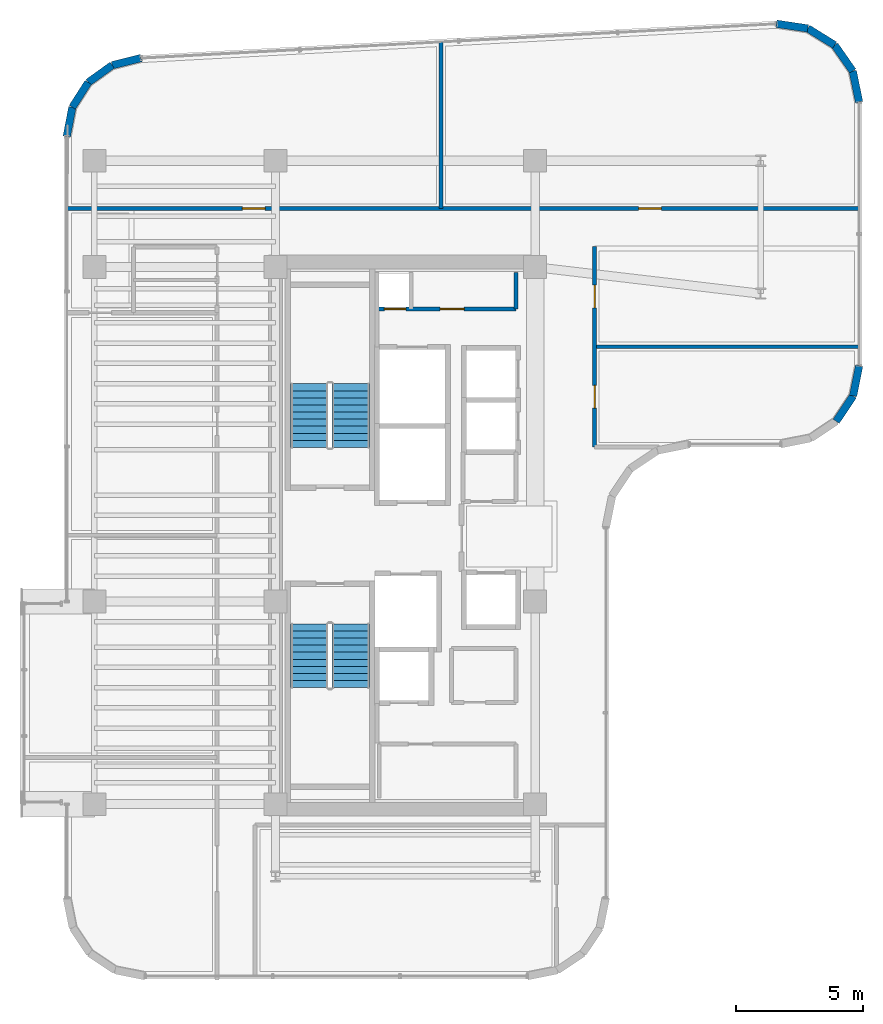
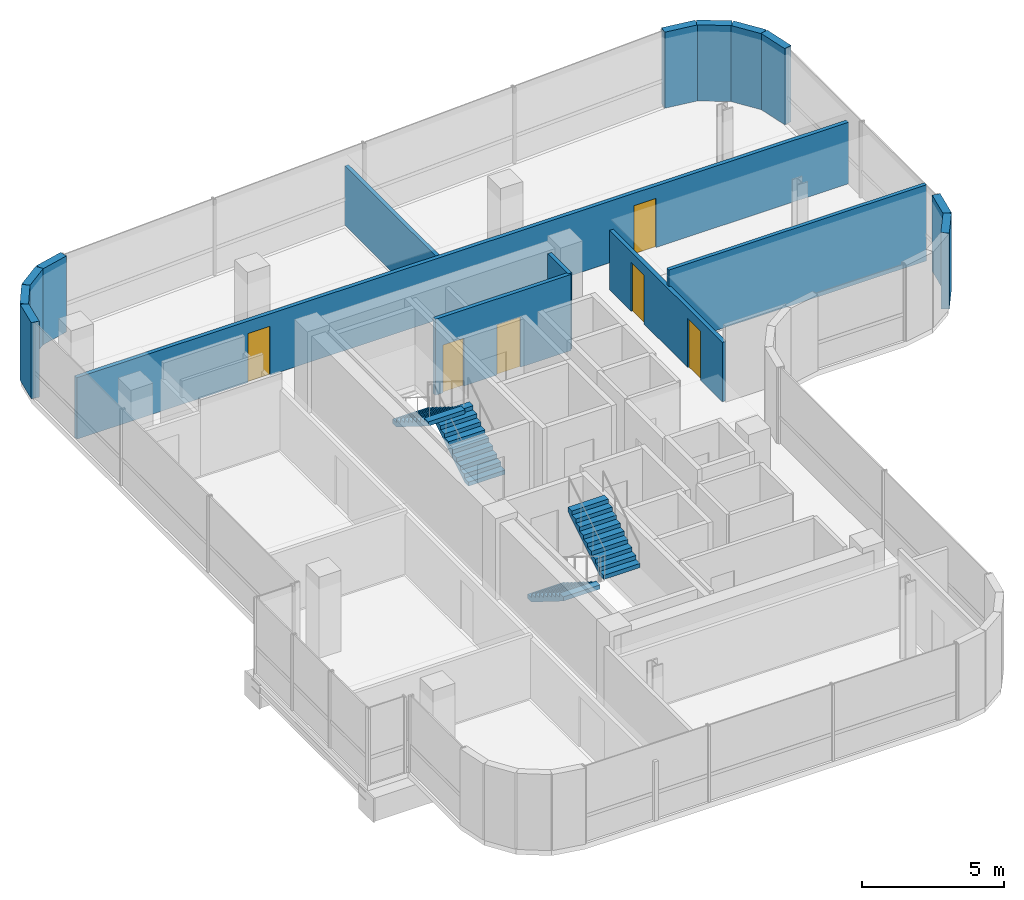
# One storey, part 20 of 22: 16 walls, 6 doors, 4 stair flights, 6 openings, 2 elements without a shape of their own.
"""IFC4 building model written with IfcOpenShell, lengths in metres."""

from ifc_helpers import new_model, si_unit, direction, frame, frame_2d, origin, place, context, subcontext, project, spatial, polyline, rectangle, outline, extrude, material, layer, layer_set, type_object, element, fill, aggregate, save


model = new_model("IFC4")

# Units and contexts
model_context = context("Model", 3, precision=1e-05, world=origin(), true_north=direction((0.0, 1.0)))
body_context = subcontext(model_context, "Body", "Model", "MODEL_VIEW")
ifc_project = project(units=[si_unit("LENGTHUNIT", "METRE"), si_unit("AREAUNIT", "SQUARE_METRE"), si_unit("VOLUMEUNIT", "CUBIC_METRE"), si_unit("PLANEANGLEUNIT", "RADIAN"), si_unit("MASSUNIT", "GRAM", prefix="KILO")], contexts=[model_context])

# Site, building, storey
site_placement = place(None, origin())
site = spatial("IfcSite", under=ifc_project, at=site_placement, CompositionType="ELEMENT")
building_placement = place(site_placement, origin())
building = spatial("IfcBuilding", under=site, at=building_placement, Name="Valdorenza Pilgrim Sanctuary Tower", CompositionType="ELEMENT")
storey_placement = place(building_placement, frame((0.0, 0.0, 233.5)))
storey = spatial("IfcBuildingStorey", under=building, at=storey_placement, Name="L60", CompositionType="ELEMENT", Elevation=233.5)

# Wall, openings, doors
ifc_material_1 = material(Name="Acoustic twin-stud gypsum partition", Category="gypsum")
ifc_layer_1 = layer(ifc_material_1, 0.159912109375, Name="Acoustic twin-stud gypsum partition")
ifc_layer_set_1 = layer_set([ifc_layer_1], Name="Acoustic twin-stud gypsum partition")
wall_type_1 = type_object("IfcWallType", Name="WAL-COR-160", PredefinedType="PARTITIONING", material=ifc_layer_set_1)
wall_1_placement = place(storey_placement, frame((-18.64990234375, 8.949951171875, 0.0), z_axis=(0.0, 0.0, 1.0), x_axis=(1.0, 0.0, 0.0)))
wall_1 = element("IfcWall", 1, at=wall_1_placement, inside=storey, type_object=wall_type_1, Name="L60 Core A North Service South Wall", PredefinedType="PARTITIONING", context=body_context, shape_type="SweptSolid", body=[
    extrude(rectangle(XDim=5.5, YDim=0.159912109375, at=frame_2d((2.75, 0.0))), origin(), (0.0, 0.0, 1.0), 3.260009765625),
])
opening_1_placement = place(wall_1_placement, frame((0.300048828125, 0.0, 0.0)))
opening_1 = element("IfcOpeningElement", 2, at=opening_1_placement, cuts=wall_1, Name="Opening DR-RS1", PredefinedType="OPENING", context=body_context, shape_type="SweptSolid", body=[
    extrude(rectangle(XDim=0.85009765625, YDim=2.050048828125, at=frame_2d((0.425048828125, 1.02490234375))), frame((0.0, 0.0947265625, 0.0), z_axis=(0.0, -1.0, 0.0), x_axis=(1.0, 0.0, 0.0)), (0.0, 0.0, 1.0), 0.189697265625),
])
opening_2_placement = place(wall_1_placement, frame((2.5, 0.0, 0.0)))
opening_2 = element("IfcOpeningElement", 3, at=opening_2_placement, cuts=wall_1, Name="Opening DR-UN1", PredefinedType="OPENING", context=body_context, shape_type="SweptSolid", body=[
    extrude(rectangle(XDim=0.949951171875, YDim=2.14990234375, at=frame_2d((0.47509765625, 1.074951171875))), frame((0.0, 0.0947265625, 0.0), z_axis=(0.0, -1.0, 0.0), x_axis=(1.0, 0.0, 0.0)), (0.0, 0.0, 1.0), 0.189697265625),
])
ifc_material_2 = material(Name="Painted galvanized steel", Category="steel")
door_type_1 = type_object("IfcDoorType", Name="DR-RSR-850", OperationType="NOTDEFINED", PredefinedType="DOOR", material=ifc_material_2)
door_1_placement = place(opening_1_placement, origin())
door_1 = element("IfcDoor", 4, at=door_1_placement, inside=storey, type_object=door_type_1, Name="L60 Core Electrical and Telecom Riser Door", OperationType="SINGLE_SWING_LEFT", OverallHeight=2.050048828125, OverallWidth=0.85009765625, PredefinedType="DOOR", context=body_context, shape_type="SweptSolid", body=[
    extrude(rectangle(XDim=0.85009765625, YDim=2.050048828125, at=frame_2d((0.425048828125, 1.02490234375))), frame((0.0, 0.02490234375, 0.0), z_axis=(0.0, -1.0, 0.0), x_axis=(1.0, 0.0, 0.0)), (0.0, 0.0, 1.0), 0.050048828125),
])
fill(opening_1, door_1)
ifc_material_3 = material(Name="Solid-core European oak timber", Category="wood")
door_type_2 = type_object("IfcDoorType", Name="DR-UNIT-950", OperationType="NOTDEFINED", PredefinedType="DOOR", material=ifc_material_3)
door_2_placement = place(opening_2_placement, origin())
door_2 = element("IfcDoor", 5, at=door_2_placement, inside=storey, type_object=door_type_2, Name="L60 Housekeeping and Clean Linen Room Door", OperationType="SINGLE_SWING_RIGHT", OverallHeight=2.14990234375, OverallWidth=0.949951171875, PredefinedType="DOOR", context=body_context, shape_type="SweptSolid", body=[
    extrude(rectangle(XDim=0.949951171875, YDim=2.14990234375, at=frame_2d((0.47509765625, 1.074951171875))), frame((0.0, 0.02490234375, 0.0), z_axis=(0.0, -1.0, 0.0), x_axis=(1.0, 0.0, 0.0)), (0.0, 0.0, 1.0), 0.050048828125),
])
fill(opening_2, door_2)

# Wall
wall_2_placement = place(storey_placement, frame((-13.14990234375, 8.949951171875, 0.0), z_axis=(0.0, 0.0, 1.0), x_axis=(0.0, 1.0, 0.0)))
element("IfcWall", 6, at=wall_2_placement, inside=storey, type_object=wall_type_1, Name="L60 Core A North Service East Wall", PredefinedType="PARTITIONING", context=body_context, shape_type="SweptSolid", body=[
    extrude(rectangle(XDim=1.429931640625, YDim=0.159912109375, at=frame_2d((0.71484375, 0.0))), origin(), (0.0, 0.0, 1.0), 3.260009765625),
])

# Wall, openings, doors
wall_3_placement = place(storey_placement, frame((-30.889892578125, 12.919921875, 0.0), z_axis=(0.0, 0.0, 1.0), x_axis=(1.0, 0.0, 0.0)))
wall_3 = element("IfcWall", 7, at=wall_3_placement, inside=storey, type_object=wall_type_1, Name="L60 North Corridor Wall", PredefinedType="PARTITIONING", context=body_context, shape_type="SweptSolid", body=[
    extrude(rectangle(XDim=31.27978515625, YDim=0.159912109375, at=frame_2d((15.639892578125, 0.0))), origin(), (0.0, 0.0, 1.0), 2.634033203125),
])
opening_3_placement = place(wall_3_placement, frame((6.93505859375, 0.0, 0.0)))
opening_3 = element("IfcOpeningElement", 8, at=opening_3_placement, cuts=wall_3, Name="Opening DR-RM1", PredefinedType="OPENING", context=body_context, shape_type="SweptSolid", body=[
    extrude(rectangle(XDim=0.89990234375, YDim=2.10009765625, at=frame_2d((0.449951171875, 1.050048828125))), frame((0.0, 0.0947265625, 0.0), z_axis=(0.0, -1.0, 0.0), x_axis=(1.0, 0.0, 0.0)), (0.0, 0.0, 1.0), 0.189697265625),
])
opening_4_placement = place(wall_3_placement, frame((22.574951171875, 0.0, 0.0)))
opening_4 = element("IfcOpeningElement", 9, at=opening_4_placement, cuts=wall_3, Name="Opening DR-RM1", PredefinedType="OPENING", context=body_context, shape_type="SweptSolid", body=[
    extrude(rectangle(XDim=0.89990234375, YDim=2.10009765625, at=frame_2d((0.449951171875, 1.050048828125))), frame((0.0, 0.0947265625, 0.0), z_axis=(0.0, -1.0, 0.0), x_axis=(1.0, 0.0, 0.0)), (0.0, 0.0, 1.0), 0.189697265625),
])
door_type_3 = type_object("IfcDoorType", Name="DR-ROOM-900", OperationType="NOTDEFINED", PredefinedType="DOOR", material=ifc_material_3)
door_3_placement = place(opening_3_placement, frame((0.89990234375, 0.0, 0.0), z_axis=(0.0, 0.0, 1.0), x_axis=(-1.0, 0.0, 0.0)))
door_3 = element("IfcDoor", 10, at=door_3_placement, inside=storey, type_object=door_type_3, Name="L60 Private Banquet Dining Room L60-N1 Door", OperationType="SINGLE_SWING_LEFT", OverallHeight=2.10009765625, OverallWidth=0.89990234375, PredefinedType="DOOR", context=body_context, shape_type="SweptSolid", body=[
    extrude(rectangle(XDim=0.89990234375, YDim=2.10009765625, at=frame_2d((0.449951171875, 1.050048828125))), frame((0.0, 0.02490234375, 0.0), z_axis=(0.0, -1.0, 0.0), x_axis=(1.0, 0.0, 0.0)), (0.0, 0.0, 1.0), 0.050048828125),
])
fill(opening_3, door_3)
door_4_placement = place(opening_4_placement, origin())
door_4 = element("IfcDoor", 11, at=door_4_placement, inside=storey, type_object=door_type_3, Name="L60 Private Banquet Dining Room L60-N2 Door", OperationType="SINGLE_SWING_RIGHT", OverallHeight=2.10009765625, OverallWidth=0.89990234375, PredefinedType="DOOR", context=body_context, shape_type="SweptSolid", body=[
    extrude(rectangle(XDim=0.89990234375, YDim=2.10009765625, at=frame_2d((0.449951171875, 1.050048828125))), frame((0.0, 0.02490234375, 0.0), z_axis=(0.0, -1.0, 0.0), x_axis=(1.0, 0.0, 0.0)), (0.0, 0.0, 1.0), 0.050048828125),
])
fill(opening_4, door_4)

wall_4_placement = place(storey_placement, frame((-10.050048828125, 3.5, 0.0), z_axis=(0.0, 0.0, 1.0), x_axis=(0.0, 1.0, 0.0)))
wall_4 = element("IfcWall", 12, at=wall_4_placement, inside=storey, type_object=wall_type_1, Name="L60 East Stub Corridor Wall", PredefinedType="PARTITIONING", context=body_context, shape_type="SweptSolid", body=[
    extrude(rectangle(XDim=7.919921875, YDim=0.159912109375, at=frame_2d((3.9599609375, 0.0))), origin(), (0.0, 0.0, 1.0), 2.5439453125),
])
opening_5_placement = place(wall_4_placement, frame((1.530029296875, 0.0, 0.0)))
opening_5 = element("IfcOpeningElement", 13, at=opening_5_placement, cuts=wall_4, Name="Opening DR-RM1", PredefinedType="OPENING", context=body_context, shape_type="SweptSolid", body=[
    extrude(rectangle(XDim=0.89990234375, YDim=2.10009765625, at=frame_2d((0.449951171875, 1.050048828125))), frame((0.0, 0.0947265625, 0.0), z_axis=(0.0, -1.0, 0.0), x_axis=(1.0, 0.0, 0.0)), (0.0, 0.0, 1.0), 0.189697265625),
])
opening_6_placement = place(wall_4_placement, frame((5.489990234375, 0.0, 0.0)))
opening_6 = element("IfcOpeningElement", 14, at=opening_6_placement, cuts=wall_4, Name="Opening DR-RM1", PredefinedType="OPENING", context=body_context, shape_type="SweptSolid", body=[
    extrude(rectangle(XDim=0.89990234375, YDim=2.10009765625, at=frame_2d((0.449951171875, 1.050048828125))), frame((0.0, 0.0947265625, 0.0), z_axis=(0.0, -1.0, 0.0), x_axis=(1.0, 0.0, 0.0)), (0.0, 0.0, 1.0), 0.189697265625),
])
door_5_placement = place(opening_5_placement, frame((0.89990234375, 0.0, 0.0), z_axis=(0.0, 0.0, 1.0), x_axis=(-1.0, 0.0, 0.0)))
door_5 = element("IfcDoor", 15, at=door_5_placement, inside=storey, type_object=door_type_3, Name="L60 Sacred Art Exhibition Gallery L60-E1 Door", OperationType="SINGLE_SWING_LEFT", OverallHeight=2.10009765625, OverallWidth=0.89990234375, PredefinedType="DOOR", context=body_context, shape_type="SweptSolid", body=[
    extrude(rectangle(XDim=0.89990234375, YDim=2.10009765625, at=frame_2d((0.449951171875, 1.050048828125))), frame((0.0, 0.02490234375, 0.0), z_axis=(0.0, -1.0, 0.0), x_axis=(1.0, 0.0, 0.0)), (0.0, 0.0, 1.0), 0.050048828125),
])
fill(opening_5, door_5)
door_6_placement = place(opening_6_placement, origin())
door_6 = element("IfcDoor", 16, at=door_6_placement, inside=storey, type_object=door_type_3, Name="L60 Sacred Art Exhibition Gallery L60-E2 Door", OperationType="SINGLE_SWING_RIGHT", OverallHeight=2.10009765625, OverallWidth=0.89990234375, PredefinedType="DOOR", context=body_context, shape_type="SweptSolid", body=[
    extrude(rectangle(XDim=0.89990234375, YDim=2.10009765625, at=frame_2d((0.449951171875, 1.050048828125))), frame((0.0, 0.02490234375, 0.0), z_axis=(0.0, -1.0, 0.0), x_axis=(1.0, 0.0, 0.0)), (0.0, 0.0, 1.0), 0.050048828125),
])
fill(opening_6, door_6)

# Walls
ifc_material_4 = material(Name="Honed travertine limestone", Category="masonry")
ifc_layer_2 = layer(ifc_material_4, 0.300048828125, Name="Honed travertine limestone")
ifc_layer_set_2 = layer_set([ifc_layer_2], Name="Honed travertine limestone")
wall_type_2 = type_object("IfcWallType", Name="WAL-EXT-300", PredefinedType="SOLIDWALL", material=ifc_layer_set_2)
wall_5_placement = place(storey_placement, frame((-30.889892578125, 15.757568359375, 0.0), z_axis=(0.0, 0.0, 1.0), x_axis=(0.18831542659, 0.982108598938, 0.0)))
element("IfcWall", 17, at=wall_5_placement, inside=storey, type_object=wall_type_2, Name="L60 Rounded Wind-Corner Stone Pier 2", PredefinedType="SOLIDWALL", context=body_context, shape_type="SweptSolid", body=[
    extrude(rectangle(XDim=1.174560546875, YDim=0.300048828125, at=frame_2d((0.58740234375, 0.0))), origin(), (0.0, 0.0, 1.0), 3.260009765625),
])
wall_6_placement = place(storey_placement, frame((-30.668701171875, 16.9111328125, 0.0), z_axis=(0.0, 0.0, 1.0), x_axis=(0.538678781902, 0.84251122837, 0.0)))
element("IfcWall", 18, at=wall_6_placement, inside=storey, type_object=wall_type_2, Name="L60 Rounded Wind-Corner Stone Pier 3", PredefinedType="SOLIDWALL", context=body_context, shape_type="SweptSolid", body=[
    extrude(rectangle(XDim=1.164306640625, YDim=0.300048828125, at=frame_2d((0.58203125, 0.0))), origin(), (0.0, 0.0, 1.0), 3.260009765625),
])
wall_7_placement = place(storey_placement, frame((-30.04150390625, 17.89208984375, 0.0), z_axis=(0.0, 0.0, 1.0), x_axis=(0.812313539683, 0.583220981487, 0.0)))
element("IfcWall", 19, at=wall_7_placement, inside=storey, type_object=wall_type_2, Name="L60 Rounded Wind-Corner Stone Pier 4", PredefinedType="SOLIDWALL", context=body_context, shape_type="SweptSolid", body=[
    extrude(rectangle(XDim=1.163818359375, YDim=0.300048828125, at=frame_2d((0.58203125, 0.0))), origin(), (0.0, 0.0, 1.0), 3.260009765625),
])
wall_8_placement = place(storey_placement, frame((-29.09619140625, 18.57080078125, 0.0), z_axis=(0.0, 0.0, 1.0), x_axis=(0.97050812798, 0.241068400098, 0.0)))
element("IfcWall", 20, at=wall_8_placement, inside=storey, type_object=wall_type_2, Name="L60 Rounded Wind-Corner Stone Pier 5", PredefinedType="SOLIDWALL", context=body_context, shape_type="SweptSolid", body=[
    extrude(rectangle(XDim=1.1748046875, YDim=0.300048828125, at=frame_2d((0.58740234375, 0.0))), origin(), (0.0, 0.0, 1.0), 3.260009765625),
])
wall_9_placement = place(storey_placement, frame((-2.877685546875, 20.20751953125, 0.0), z_axis=(0.0, 0.0, 1.0), x_axis=(0.988902138571, -0.148568369208, 0.0)))
element("IfcWall", 21, at=wall_9_placement, inside=storey, type_object=wall_type_2, Name="L60 Rounded Wind-Corner Stone Pier 7", PredefinedType="SOLIDWALL", context=body_context, shape_type="SweptSolid", body=[
    extrude(rectangle(XDim=1.257080078125, YDim=0.300048828125, at=frame_2d((0.62841796875, 0.0))), origin(), (0.0, 0.0, 1.0), 3.260009765625),
])
wall_10_placement = place(storey_placement, frame((-1.634521484375, 20.020751953125, 0.0), z_axis=(0.0, 0.0, 1.0), x_axis=(0.849646224094, -0.52735310171, 0.0)))
element("IfcWall", 22, at=wall_10_placement, inside=storey, type_object=wall_type_2, Name="L60 Rounded Wind-Corner Stone Pier 8", PredefinedType="SOLIDWALL", context=body_context, shape_type="SweptSolid", body=[
    extrude(rectangle(XDim=1.245361328125, YDim=0.300048828125, at=frame_2d((0.62255859375, 0.0))), origin(), (0.0, 0.0, 1.0), 3.260009765625),
])
wall_11_placement = place(storey_placement, frame((-0.576416015625, 19.364013671875, 0.0), z_axis=(0.0, 0.0, 1.0), x_axis=(0.572304219931, -0.820041389107, 0.0)))
element("IfcWall", 23, at=wall_11_placement, inside=storey, type_object=wall_type_2, Name="L60 Rounded Wind-Corner Stone Pier 9", PredefinedType="SOLIDWALL", context=body_context, shape_type="SweptSolid", body=[
    extrude(rectangle(XDim=1.24560546875, YDim=0.300048828125, at=frame_2d((0.622802734375, 0.0))), origin(), (0.0, 0.0, 1.0), 3.260009765625),
])
wall_12_placement = place(storey_placement, frame((0.136474609375, 18.342529296875, 0.0), z_axis=(0.0, 0.0, 1.0), x_axis=(0.201603599025, -0.979467196419, 0.0)))
element("IfcWall", 24, at=wall_12_placement, inside=storey, type_object=wall_type_2, Name="L60 Rounded Wind-Corner Stone Pier 10", PredefinedType="SOLIDWALL", context=body_context, shape_type="SweptSolid", body=[
    extrude(rectangle(XDim=1.257080078125, YDim=0.300048828125, at=frame_2d((0.62841796875, 0.0))), origin(), (0.0, 0.0, 1.0), 3.260009765625),
])
wall_13_placement = place(storey_placement, frame((0.389892578125, 6.710693359375, 0.0), z_axis=(0.0, 0.0, 1.0), x_axis=(-0.194996050505, -0.980804027463, 0.0)))
element("IfcWall", 25, at=wall_13_placement, inside=storey, type_object=wall_type_2, Name="L60 Rounded Wind-Corner Stone Pier 12", PredefinedType="SOLIDWALL", context=body_context, shape_type="SweptSolid", body=[
    extrude(rectangle(XDim=1.2158203125, YDim=0.300048828125, at=frame_2d((0.60791015625, 0.0))), origin(), (0.0, 0.0, 1.0), 3.260009765625),
])
wall_14_placement = place(storey_placement, frame((0.15283203125, 5.518310546875, 0.0), z_axis=(0.0, 0.0, 1.0), x_axis=(-0.555635100982, -0.831426265255, 0.0)))
element("IfcWall", 26, at=wall_14_placement, inside=storey, type_object=wall_type_2, Name="L60 Rounded Wind-Corner Stone Pier 13", PredefinedType="SOLIDWALL", context=body_context, shape_type="SweptSolid", body=[
    extrude(rectangle(XDim=1.204833984375, YDim=0.300048828125, at=frame_2d((0.6025390625, 0.0))), origin(), (0.0, 0.0, 1.0), 3.260009765625),
])
ifc_layer_3 = layer(ifc_material_1, 0.14990234375, Name="Acoustic twin-stud gypsum partition")
ifc_layer_set_3 = layer_set([ifc_layer_3], Name="Acoustic twin-stud gypsum partition")
wall_type_3 = type_object("IfcWallType", Name="WAL-UNT-150", PredefinedType="PARTITIONING", material=ifc_layer_set_3)
wall_15_placement = place(storey_placement, frame((-16.1201171875, 12.919921875, 0.0), z_axis=(0.0, 0.0, 1.0), x_axis=(0.0, 1.0, 0.0)))
element("IfcWall", 27, at=wall_15_placement, inside=storey, type_object=wall_type_3, Name="L60 Private Banquet Dining Room L60-N2 Demising Wall", PredefinedType="PARTITIONING", context=body_context, shape_type="SweptSolid", body=[
    extrude(rectangle(XDim=6.572998046875, YDim=0.14990234375, at=frame_2d((3.28662109375, 0.0))), origin(), (0.0, 0.0, 1.0), 2.5439453125),
])
wall_16_placement = place(storey_placement, frame((-10.050048828125, 7.4599609375, 0.0), z_axis=(0.0, 0.0, 1.0), x_axis=(1.0, 0.0, 0.0)))
element("IfcWall", 28, at=wall_16_placement, inside=storey, type_object=wall_type_3, Name="L60 Sacred Art Exhibition Gallery L60-E2 Demising Wall", PredefinedType="PARTITIONING", context=body_context, shape_type="SweptSolid", body=[
    extrude(rectangle(XDim=10.43994140625, YDim=0.14990234375, at=frame_2d((5.219970703125, 0.0))), origin(), (0.0, 0.0, 1.0), 3.260009765625),
])

# Stair, stair flights
ifc_material_5 = material(Name="Concrete C40/50", Category="concrete")
stair_type = type_object("IfcStairType", Name="STR-DOG-CORE", PredefinedType="HALF_TURN_STAIR", material=ifc_material_5)
stair_1_placement = place(storey_placement, origin())
stair_1 = element("IfcStair", 29, at=stair_1_placement, inside=storey, type_object=stair_type, Name="L60 ST-A1", PredefinedType="HALF_TURN_STAIR")
stair_flight_type = type_object("IfcStairFlightType", Name="STF-RC-1400", PredefinedType="STRAIGHT", material=ifc_material_5)
stair_flight_1_placement = place(storey_placement, frame((-19.679931640625, 3.47998046875, 0.0), z_axis=(0.0, 0.0, 1.0), x_axis=(0.0, 1.0, 0.0)))
stair_flight_1 = element("IfcStairFlight", 30, at=stair_flight_1_placement, type_object=stair_flight_type, Name="ST-A1 flight 1", NumberOfRisers=10, NumberOfTreads=9, PredefinedType="STRAIGHT", RiserHeight=0.175, TreadLength=0.28, context=body_context, shape_type="SweptSolid", body=[
    extrude(outline(polyline([(0.0, 0.0), (0.0, 0.175048828125), (0.280029296875, 0.175048828125), (0.280029296875, 0.35009765625), (0.56005859375, 0.35009765625), (0.56005859375, 0.52490234375), (0.840087890625, 0.52490234375), (0.840087890625, 0.699951171875), (1.1201171875, 0.699951171875), (1.1201171875, 0.875), (1.39990234375, 0.875), (1.39990234375, 1.050048828125), (1.679931640625, 1.050048828125), (1.679931640625, 1.22509765625), (1.9599609375, 1.22509765625), (1.9599609375, 1.39990234375), (2.239990234375, 1.39990234375), (2.239990234375, 1.574951171875), (2.52001953125, 1.574951171875), (2.52001953125, 1.75), (2.52001953125, 1.398193359375), (0.28271484375, 0.0), (0.0, 0.0)])), frame((0.0, 0.739990234375, 0.0), z_axis=(0.0, -1.0, 0.0), x_axis=(1.0, 0.0, 0.0)), (0.0, 0.0, 1.0), 1.47998046875),
])
stair_flight_2_placement = place(storey_placement, frame((-21.31005859375, 6.0, 1.75), z_axis=(0.0, 0.0, 1.0), x_axis=(0.0, -1.0, 0.0)))
stair_flight_2 = element("IfcStairFlight", 31, at=stair_flight_2_placement, type_object=stair_flight_type, Name="ST-A1 flight 2", NumberOfRisers=10, NumberOfTreads=9, PredefinedType="STRAIGHT", RiserHeight=0.175, TreadLength=0.28, context=body_context, shape_type="SweptSolid", body=[
    extrude(outline(polyline([(0.0, 0.0), (0.0, 0.175048828125), (0.280029296875, 0.175048828125), (0.280029296875, 0.35009765625), (0.56005859375, 0.35009765625), (0.56005859375, 0.52490234375), (0.840087890625, 0.52490234375), (0.840087890625, 0.699951171875), (1.1201171875, 0.699951171875), (1.1201171875, 0.875), (1.39990234375, 0.875), (1.39990234375, 1.050048828125), (1.679931640625, 1.050048828125), (1.679931640625, 1.22509765625), (1.9599609375, 1.22509765625), (1.9599609375, 1.39990234375), (2.239990234375, 1.39990234375), (2.239990234375, 1.574951171875), (2.52001953125, 1.574951171875), (2.52001953125, 1.75), (2.52001953125, 1.398193359375), (0.28271484375, 0.0), (0.0, 0.0)])), frame((0.0, 0.739990234375, 0.0), z_axis=(0.0, -1.0, 0.0), x_axis=(1.0, 0.0, 0.0)), (0.0, 0.0, 1.0), 1.47998046875),
])
aggregate(stair_1, [stair_flight_1, stair_flight_2])

stair_2_placement = place(storey_placement, origin())
stair_2 = element("IfcStair", 32, at=stair_2_placement, inside=storey, type_object=stair_type, Name="L60 ST-A2", PredefinedType="HALF_TURN_STAIR")
stair_flight_3_placement = place(storey_placement, frame((-21.31005859375, -3.47998046875, 0.0), z_axis=(0.0, 0.0, 1.0), x_axis=(0.0, -1.0, 0.0)))
stair_flight_3 = element("IfcStairFlight", 33, at=stair_flight_3_placement, type_object=stair_flight_type, Name="ST-A2 flight 1", NumberOfRisers=10, NumberOfTreads=9, PredefinedType="STRAIGHT", RiserHeight=0.175, TreadLength=0.28, context=body_context, shape_type="SweptSolid", body=[
    extrude(outline(polyline([(0.0, 0.0), (0.0, 0.175048828125), (0.280029296875, 0.175048828125), (0.280029296875, 0.35009765625), (0.56005859375, 0.35009765625), (0.56005859375, 0.52490234375), (0.840087890625, 0.52490234375), (0.840087890625, 0.699951171875), (1.1201171875, 0.699951171875), (1.1201171875, 0.875), (1.39990234375, 0.875), (1.39990234375, 1.050048828125), (1.679931640625, 1.050048828125), (1.679931640625, 1.22509765625), (1.9599609375, 1.22509765625), (1.9599609375, 1.39990234375), (2.239990234375, 1.39990234375), (2.239990234375, 1.574951171875), (2.52001953125, 1.574951171875), (2.52001953125, 1.75), (2.52001953125, 1.398193359375), (0.28271484375, 0.0), (0.0, 0.0)])), frame((0.0, 0.739990234375, 0.0), z_axis=(0.0, -1.0, 0.0), x_axis=(1.0, 0.0, 0.0)), (0.0, 0.0, 1.0), 1.47998046875),
])
stair_flight_4_placement = place(storey_placement, frame((-19.679931640625, -6.0, 1.75), z_axis=(0.0, 0.0, 1.0), x_axis=(0.0, 1.0, 0.0)))
stair_flight_4 = element("IfcStairFlight", 34, at=stair_flight_4_placement, type_object=stair_flight_type, Name="ST-A2 flight 2", NumberOfRisers=10, NumberOfTreads=9, PredefinedType="STRAIGHT", RiserHeight=0.175, TreadLength=0.28, context=body_context, shape_type="SweptSolid", body=[
    extrude(outline(polyline([(0.0, 0.0), (0.0, 0.175048828125), (0.280029296875, 0.175048828125), (0.280029296875, 0.35009765625), (0.56005859375, 0.35009765625), (0.56005859375, 0.52490234375), (0.840087890625, 0.52490234375), (0.840087890625, 0.699951171875), (1.1201171875, 0.699951171875), (1.1201171875, 0.875), (1.39990234375, 0.875), (1.39990234375, 1.050048828125), (1.679931640625, 1.050048828125), (1.679931640625, 1.22509765625), (1.9599609375, 1.22509765625), (1.9599609375, 1.39990234375), (2.239990234375, 1.39990234375), (2.239990234375, 1.574951171875), (2.52001953125, 1.574951171875), (2.52001953125, 1.75), (2.52001953125, 1.398193359375), (0.28271484375, 0.0), (0.0, 0.0)])), frame((0.0, 0.739990234375, 0.0), z_axis=(0.0, -1.0, 0.0), x_axis=(1.0, 0.0, 0.0)), (0.0, 0.0, 1.0), 1.47998046875),
])
aggregate(stair_2, [stair_flight_3, stair_flight_4])

save(model, "model.ifc")
